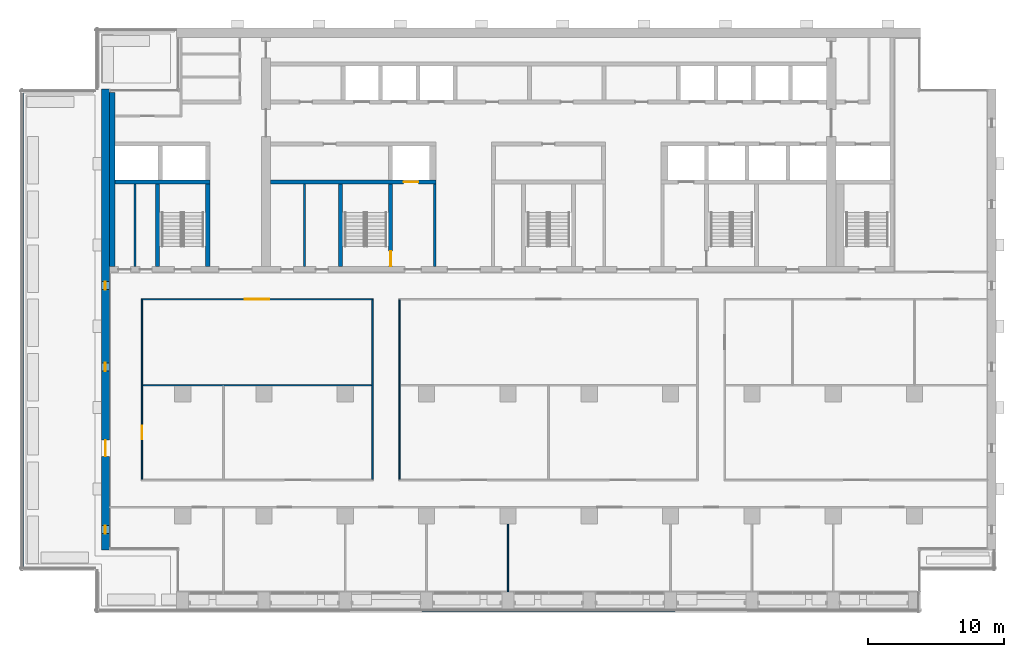
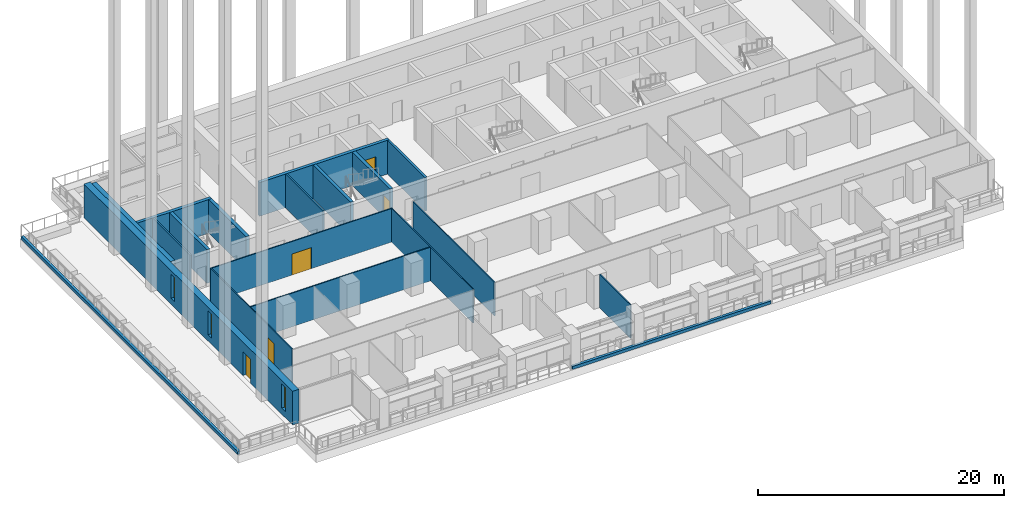
# One storey, part 8 of 19: 19 walls, 5 doors, 3 windows, 8 openings.
"""IFC4 building model written with IfcOpenShell, lengths in metres."""

from ifc_helpers import new_model, si_unit, direction, frame, frame_2d, origin, place, context, subcontext, project, spatial, rectangle, extrude, material, layer, layer_set, type_object, element, fill, save


model = new_model("IFC4")

# Units and contexts
model_context = context("Model", 3, precision=1e-05, world=origin(), true_north=direction((0.0, 1.0)))
body_context = subcontext(model_context, "Body", "Model", "MODEL_VIEW")
ifc_project = project(units=[si_unit("LENGTHUNIT", "METRE"), si_unit("AREAUNIT", "SQUARE_METRE"), si_unit("VOLUMEUNIT", "CUBIC_METRE"), si_unit("PLANEANGLEUNIT", "RADIAN"), si_unit("MASSUNIT", "GRAM", prefix="KILO")], contexts=[model_context])

# Site, building, storey
site_placement = place(None, origin())
site = spatial("IfcSite", under=ifc_project, at=site_placement, CompositionType="ELEMENT")
building_placement = place(site_placement, origin())
building = spatial("IfcBuilding", under=site, at=building_placement, Name="Calvaro Tower", CompositionType="ELEMENT")
storey_placement = place(building_placement, frame((0.0, 0.0, 166.75)))
storey = spatial("IfcBuildingStorey", under=building, at=storey_placement, Name="L41", CompositionType="ELEMENT", Elevation=166.75)

# Walls
ifc_material_1 = material(Name="Blockwork partition", Category="masonry")
ifc_layer_1 = layer(ifc_material_1, 0.14990234375)
ifc_layer_set_1 = layer_set([ifc_layer_1], Name="Blockwork partition")
wall_type_1 = type_object("IfcWallType", Name="Core partition 150 EI 60", PredefinedType="PARTITIONING", material=ifc_layer_set_1)
wall_1_placement = place(storey_placement, frame((21.0, 28.39990234375, 0.0), z_axis=(0.0, 0.0, 1.0), x_axis=(0.0, 1.0, 0.0)))
element("IfcWall", 1, at=wall_1_placement, inside=storey, type_object=wall_type_1, Name="Core partition", PredefinedType="PARTITIONING", context=body_context, shape_type="SweptSolid", body=[
    extrude(rectangle(XDim=6.10009765625, YDim=0.14990234375, at=frame_2d((3.050048828125, 0.0))), origin(), (0.0, 0.0, 1.0), 3.35009765625),
])
ifc_material_2 = material(Name="Blockwork partition", Category="masonry")
ifc_layer_2 = layer(ifc_material_2, 0.14990234375)
ifc_layer_set_2 = layer_set([ifc_layer_2], Name="Blockwork partition")
wall_type_2 = type_object("IfcWallType", Name="Core partition 150 REI 120", PredefinedType="PARTITIONING", material=ifc_layer_set_2)
wall_2_placement = place(storey_placement, frame((8.5, 28.39990234375, 0.0), z_axis=(0.0, 0.0, 1.0), x_axis=(0.0, 1.0, 0.0)))
element("IfcWall", 2, at=wall_2_placement, inside=storey, type_object=wall_type_2, Name="Core partition", PredefinedType="PARTITIONING", context=body_context, shape_type="SweptSolid", body=[
    extrude(rectangle(XDim=6.10009765625, YDim=0.14990234375, at=frame_2d((3.050048828125, 0.0))), origin(), (0.0, 0.0, 1.0), 3.35009765625),
])
ifc_material_3 = material(Name="Blockwork partition", Category="masonry")
ifc_layer_3 = layer(ifc_material_3, 0.199951171875)
ifc_layer_set_3 = layer_set([ifc_layer_3], Name="Blockwork partition")
wall_type_3 = type_object("IfcWallType", Name="Core partition 200 REI 120", PredefinedType="PARTITIONING", material=ifc_layer_set_3)
wall_3_placement = place(storey_placement, frame((30.60009765625, 28.39990234375, 0.0), z_axis=(0.0, 0.0, 1.0), x_axis=(0.0, 1.0, 0.0)))
element("IfcWall", 3, at=wall_3_placement, inside=storey, type_object=wall_type_3, Name="Core partition", PredefinedType="PARTITIONING", context=body_context, shape_type="SweptSolid", body=[
    extrude(rectangle(XDim=6.10009765625, YDim=0.199951171875, at=frame_2d((3.050048828125, 0.0))), origin(), (0.0, 0.0, 1.0), 3.35009765625),
])
ifc_material_4 = material(Name="Concrete C50/60", Category="concrete")
ifc_layer_4 = layer(ifc_material_4, 0.300048828125)
ifc_layer_set_4 = layer_set([ifc_layer_4], Name="Concrete C50/60")
wall_type_4 = type_object("IfcWallType", Name="Core wall C50/60 300", PredefinedType="SHEAR", material=ifc_layer_set_4)
for number, where, z_axis, x_axis, name in (
    (4, (10.14990234375, 28.39990234375, 0.0), (0.0, 0.0, 1.0), (0.0, 1.0, 0.0), "Core wall, stair enclosure"),
    (5, (13.85009765625, 28.39990234375, 0.0), (0.0, 0.0, 1.0), (0.0, 1.0, 0.0), "Core wall, stair enclosure"),
    (6, (23.64990234375, 28.39990234375, 0.0), (0.0, 0.0, 1.0), (0.0, 1.0, 0.0), "Core wall, stair enclosure"),
):
    element("IfcWall", number, at=place(storey_placement, frame(where, z_axis=z_axis, x_axis=x_axis)), inside=storey, type_object=wall_type_4, Name=name, PredefinedType="SHEAR", context=body_context, shape_type="SweptSolid", body=[
        extrude(rectangle(XDim=6.10009765625, YDim=0.300048828125, at=frame_2d((3.050048828125, 0.0))), origin(), (0.0, 0.0, 1.0), 3.35009765625),
    ])

# Wall, opening, door
wall_4_placement = place(storey_placement, frame((27.35009765625, 28.39990234375, 0.0), z_axis=(0.0, 0.0, 1.0), x_axis=(0.0, 1.0, 0.0)))
wall_4 = element("IfcWall", 7, at=wall_4_placement, inside=storey, type_object=wall_type_4, Name="Core wall, stair enclosure", PredefinedType="SHEAR", context=body_context, shape_type="SweptSolid", body=[
    extrude(rectangle(XDim=6.10009765625, YDim=0.300048828125, at=frame_2d((3.050048828125, 0.0))), origin(), (0.0, 0.0, 1.0), 3.35009765625),
])
opening_1_placement = place(wall_4_placement, frame((0.050048828125, 0.0, 0.0)))
opening_1 = element("IfcOpeningElement", 8, at=opening_1_placement, cuts=wall_4, Name="Opening FD11D", PredefinedType="OPENING", context=body_context, shape_type="SweptSolid", body=[
    extrude(rectangle(XDim=1.10009765625, YDim=2.10009765625, at=frame_2d((0.550048828125, 1.050048828125))), frame((0.0, 0.159912109375, 0.0), z_axis=(0.0, -1.0, 0.0), x_axis=(1.0, 0.0, 0.0)), (0.0, 0.0, 1.0), 0.320068359375),
])
ifc_material_5 = material(Name="Steel door set", Category="steel")
door_type_1 = type_object("IfcDoorType", Name="Fire door 1100 FD30S", OperationType="SINGLE_SWING_LEFT", PredefinedType="DOOR", material=ifc_material_5)
door_1_placement = place(opening_1_placement, origin())
door_1 = element("IfcDoor", 9, at=door_1_placement, inside=storey, type_object=door_type_1, Name="Fire door", OperationType="SINGLE_SWING_LEFT", OverallHeight=2.10009765625, OverallWidth=1.10009765625, PredefinedType="DOOR", context=body_context, shape_type="SweptSolid", body=[
    extrude(rectangle(XDim=1.10009765625, YDim=2.10009765625, at=frame_2d((0.550048828125, 1.050048828125))), frame((0.0, 0.02490234375, 0.0), z_axis=(0.0, -1.0, 0.0), x_axis=(1.0, 0.0, 0.0)), (0.0, 0.0, 1.0), 0.050048828125),
])
fill(opening_1, door_1)

# Wall
wall_5_placement = place(storey_placement, frame((7.0, 34.64990234375, 0.0), z_axis=(0.0, 0.0, 1.0), x_axis=(1.0, 0.0, 0.0)))
element("IfcWall", 10, at=wall_5_placement, inside=storey, type_object=wall_type_4, Name="Core wall, lift shaft", PredefinedType="SHEAR", context=body_context, shape_type="SweptSolid", body=[
    extrude(rectangle(XDim=7.0, YDim=0.300048828125, at=frame_2d((3.5, 0.0))), origin(), (0.0, 0.0, 1.0), 3.35009765625),
])

# Wall, opening, door
wall_6_placement = place(storey_placement, frame((18.5, 34.64990234375, 0.0), z_axis=(0.0, 0.0, 1.0), x_axis=(1.0, 0.0, 0.0)))
wall_6 = element("IfcWall", 11, at=wall_6_placement, inside=storey, type_object=wall_type_4, Name="Core wall, lift shaft", PredefinedType="SHEAR", context=body_context, shape_type="SweptSolid", body=[
    extrude(rectangle(XDim=12.199951171875, YDim=0.300048828125, at=frame_2d((6.10009765625, 0.0))), origin(), (0.0, 0.0, 1.0), 3.35009765625),
])
opening_2_placement = place(wall_6_placement, frame((9.800048828125, 0.0, 0.0)))
opening_2 = element("IfcOpeningElement", 12, at=opening_2_placement, cuts=wall_6, Name="Opening FF1", PredefinedType="OPENING", context=body_context, shape_type="SweptSolid", body=[
    extrude(rectangle(XDim=1.10009765625, YDim=2.10009765625, at=frame_2d((0.550048828125, 1.050048828125))), frame((0.0, 0.159912109375, 0.0), z_axis=(0.0, -1.0, 0.0), x_axis=(1.0, 0.0, 0.0)), (0.0, 0.0, 1.0), 0.320068359375),
])
ifc_material_6 = material(Name="Stainless steel", Category="steel")
door_type_2 = type_object("IfcDoorType", Name="Landing door 1100 E 60", OperationType="SLIDING_TO_LEFT", PredefinedType="DOOR", material=ifc_material_6)
door_2_placement = place(opening_2_placement, origin())
door_2 = element("IfcDoor", 13, at=door_2_placement, inside=storey, type_object=door_type_2, Name="Landing door FF1", OperationType="SLIDING_TO_LEFT", OverallHeight=2.10009765625, OverallWidth=1.10009765625, PredefinedType="DOOR", context=body_context, shape_type="SweptSolid", body=[
    extrude(rectangle(XDim=1.10009765625, YDim=2.10009765625, at=frame_2d((0.550048828125, 1.050048828125))), frame((0.0, 0.02490234375, 0.0), z_axis=(0.0, -1.0, 0.0), x_axis=(1.0, 0.0, 0.0)), (0.0, 0.0, 1.0), 0.050048828125),
])
fill(opening_2, door_2)

# Wall
ifc_material_7 = material(Name="Concrete C50/60", Category="concrete")
ifc_layer_5 = layer(ifc_material_7, 0.39990234375)
ifc_layer_set_5 = layer_set([ifc_layer_5], Name="Concrete C50/60")
wall_type_5 = type_object("IfcWallType", Name="Core wall C50/60 400", PredefinedType="SHEAR", material=ifc_layer_set_5)
wall_7_placement = place(storey_placement, frame((6.800048828125, 28.39990234375, 0.0), z_axis=(0.0, 0.0, 1.0), x_axis=(0.0, 1.0, 0.0)))
element("IfcWall", 14, at=wall_7_placement, inside=storey, type_object=wall_type_5, Name="Core wall, boundary", PredefinedType="SHEAR", context=body_context, shape_type="SweptSolid", body=[
    extrude(rectangle(XDim=12.85009765625, YDim=0.39990234375, at=frame_2d((6.425048828125, 0.0))), origin(), (0.0, 0.0, 1.0), 3.35009765625),
])

# Wall, openings, windows, door
ifc_material_8 = material(Name="Concrete C50/60", Category="concrete")
ifc_layer_6 = layer(ifc_material_8, 0.60009765625)
ifc_layer_set_6 = layer_set([ifc_layer_6], Name="Concrete C50/60")
wall_type_6 = type_object("IfcWallType", Name="End wall 600 C50/60", PredefinedType="SHEAR", material=ifc_layer_set_6)
wall_8_placement = place(storey_placement, frame((6.300048828125, 7.5, 0.0), z_axis=(0.0, 0.0, 1.0), x_axis=(0.0, 1.0, 0.0)))
wall_8 = element("IfcWall", 15, at=wall_8_placement, inside=storey, type_object=wall_type_6, Name="End shear wall", PredefinedType="SHEAR", context=body_context, shape_type="SweptSolid", body=[
    extrude(rectangle(XDim=34.0, YDim=0.60009765625, at=frame_2d((17.0, 0.0))), origin(), (0.0, 0.0, 1.0), 3.35009765625),
])
opening_3_placement = place(wall_8_placement, frame((1.199951171875, 0.0, 0.60009765625)))
opening_3 = element("IfcOpeningElement", 16, at=opening_3_placement, cuts=wall_8, Name="Opening WW01", PredefinedType="OPENING", context=body_context, shape_type="SweptSolid", body=[
    extrude(rectangle(XDim=0.60009765625, YDim=2.39990234375, at=frame_2d((0.300048828125, 1.199951171875))), frame((0.0, 0.31005859375, 0.0), z_axis=(0.0, -1.0, 0.0), x_axis=(1.0, 0.0, 0.0)), (0.0, 0.0, 1.0), 0.6201171875),
])
opening_4_placement = place(wall_8_placement, frame((13.199951171875, 0.0, 0.60009765625)))
opening_4 = element("IfcOpeningElement", 17, at=opening_4_placement, cuts=wall_8, Name="Opening WW03", PredefinedType="OPENING", context=body_context, shape_type="SweptSolid", body=[
    extrude(rectangle(XDim=0.60009765625, YDim=2.39990234375, at=frame_2d((0.300048828125, 1.199951171875))), frame((0.0, 0.31005859375, 0.0), z_axis=(0.0, -1.0, 0.0), x_axis=(1.0, 0.0, 0.0)), (0.0, 0.0, 1.0), 0.6201171875),
])
opening_5_placement = place(wall_8_placement, frame((19.199951171875, 0.0, 0.60009765625)))
opening_5 = element("IfcOpeningElement", 18, at=opening_5_placement, cuts=wall_8, Name="Opening WW04", PredefinedType="OPENING", context=body_context, shape_type="SweptSolid", body=[
    extrude(rectangle(XDim=0.60009765625, YDim=2.39990234375, at=frame_2d((0.300048828125, 1.199951171875))), frame((0.0, 0.31005859375, 0.0), z_axis=(0.0, -1.0, 0.0), x_axis=(1.0, 0.0, 0.0)), (0.0, 0.0, 1.0), 0.6201171875),
])
opening_6_placement = place(wall_8_placement, frame((6.89990234375, 0.0, 0.0)))
opening_6 = element("IfcOpeningElement", 19, at=opening_6_placement, cuts=wall_8, Name="Opening DT18", PredefinedType="OPENING", context=body_context, shape_type="SweptSolid", body=[
    extrude(rectangle(XDim=1.199951171875, YDim=2.39990234375, at=frame_2d((0.60009765625, 1.199951171875))), frame((0.0, 0.31005859375, 0.0), z_axis=(0.0, -1.0, 0.0), x_axis=(1.0, 0.0, 0.0)), (0.0, 0.0, 1.0), 0.6201171875),
])
ifc_material_9 = material(Name="Glass", Category="glass")
window_type = type_object("IfcWindowType", Name="Slit window 600 x 2400", PartitioningType="SINGLE_PANEL", PredefinedType="WINDOW", material=ifc_material_9)
window_1_placement = place(opening_3_placement, origin())
window_1 = element("IfcWindow", 20, at=window_1_placement, inside=storey, type_object=window_type, Name="Window WW01", OverallHeight=2.39990234375, OverallWidth=0.60009765625, PartitioningType="SINGLE_PANEL", PredefinedType="WINDOW", context=body_context, shape_type="SweptSolid", body=[
    extrude(rectangle(XDim=0.60009765625, YDim=2.39990234375, at=frame_2d((0.300048828125, 1.199951171875))), frame((0.0, 0.030029296875, 0.0), z_axis=(0.0, -1.0, 0.0), x_axis=(1.0, 0.0, 0.0)), (0.0, 0.0, 1.0), 0.06005859375),
])
fill(opening_3, window_1)
window_2_placement = place(opening_4_placement, origin())
window_2 = element("IfcWindow", 21, at=window_2_placement, inside=storey, type_object=window_type, Name="Window WW03", OverallHeight=2.39990234375, OverallWidth=0.60009765625, PartitioningType="SINGLE_PANEL", PredefinedType="WINDOW", context=body_context, shape_type="SweptSolid", body=[
    extrude(rectangle(XDim=0.60009765625, YDim=2.39990234375, at=frame_2d((0.300048828125, 1.199951171875))), frame((0.0, 0.030029296875, 0.0), z_axis=(0.0, -1.0, 0.0), x_axis=(1.0, 0.0, 0.0)), (0.0, 0.0, 1.0), 0.06005859375),
])
fill(opening_4, window_2)
window_3_placement = place(opening_5_placement, origin())
window_3 = element("IfcWindow", 22, at=window_3_placement, inside=storey, type_object=window_type, Name="Window WW04", OverallHeight=2.39990234375, OverallWidth=0.60009765625, PartitioningType="SINGLE_PANEL", PredefinedType="WINDOW", context=body_context, shape_type="SweptSolid", body=[
    extrude(rectangle(XDim=0.60009765625, YDim=2.39990234375, at=frame_2d((0.300048828125, 1.199951171875))), frame((0.0, 0.030029296875, 0.0), z_axis=(0.0, -1.0, 0.0), x_axis=(1.0, 0.0, 0.0)), (0.0, 0.0, 1.0), 0.06005859375),
])
fill(opening_5, window_3)
ifc_material_10 = material(Name="Glass", Category="glass")
door_type_3 = type_object("IfcDoorType", Name="Terrace door 1200 x 2400", OperationType="SINGLE_SWING_RIGHT", PredefinedType="DOOR", material=ifc_material_10)
door_3_placement = place(opening_6_placement, origin())
door_3 = element("IfcDoor", 23, at=door_3_placement, inside=storey, type_object=door_type_3, Name="Terrace door", OperationType="SINGLE_SWING_RIGHT", OverallHeight=2.39990234375, OverallWidth=1.199951171875, PredefinedType="DOOR", context=body_context, shape_type="SweptSolid", body=[
    extrude(rectangle(XDim=1.199951171875, YDim=2.39990234375, at=frame_2d((0.60009765625, 1.199951171875))), frame((0.0, 0.02490234375, 0.0), z_axis=(0.0, -1.0, 0.0), x_axis=(1.0, 0.0, 0.0)), (0.0, 0.0, 1.0), 0.050048828125),
])
fill(opening_6, door_3)

# Wall
ifc_material_11 = material(Name="Plasterboard on steel studs", Category="steel")
ifc_layer_7 = layer(ifc_material_11, 0.10009765625)
ifc_layer_set_7 = layer_set([ifc_layer_7], Name="Plasterboard on steel studs")
wall_type_7 = type_object("IfcWallType", Name="Partition 100", PredefinedType="PARTITIONING", material=ifc_layer_set_7)
wall_9_placement = place(storey_placement, frame((9.050048828125, 19.64990234375, 0.0), z_axis=(0.0, 0.0, 1.0), x_axis=(1.0, 0.0, 0.0)))
element("IfcWall", 24, at=wall_9_placement, inside=storey, type_object=wall_type_7, Name="Partition T42.W005", PredefinedType="PARTITIONING", context=body_context, shape_type="SweptSolid", body=[
    extrude(rectangle(XDim=16.89990234375, YDim=0.10009765625, at=frame_2d((8.449951171875, 0.0))), origin(), (0.0, 0.0, 1.0), 3.35009765625),
])

# Wall, opening, door
wall_10_placement = place(storey_placement, frame((8.949951171875, 26.0, 0.0), z_axis=(0.0, 0.0, 1.0), x_axis=(1.0, 0.0, 0.0)))
wall_10 = element("IfcWall", 25, at=wall_10_placement, inside=storey, type_object=wall_type_7, Name="Partition T42.W008", PredefinedType="PARTITIONING", context=body_context, shape_type="SweptSolid", body=[
    extrude(rectangle(XDim=17.10009765625, YDim=0.10009765625, at=frame_2d((8.550048828125, 0.0))), origin(), (0.0, 0.0, 1.0), 3.35009765625),
])
opening_7_placement = place(wall_10_placement, frame((7.64990234375, 0.0, 0.0)))
opening_7 = element("IfcOpeningElement", 26, at=opening_7_placement, cuts=wall_10, Name="Opening T42.014", PredefinedType="OPENING", context=body_context, shape_type="SweptSolid", body=[
    extrude(rectangle(XDim=1.800048828125, YDim=2.10009765625, at=frame_2d((0.89990234375, 1.050048828125))), frame((0.0, 0.06005859375, 0.0), z_axis=(0.0, -1.0, 0.0), x_axis=(1.0, 0.0, 0.0)), (0.0, 0.0, 1.0), 0.1201171875),
])
ifc_material_12 = material(Name="Timber", Category="wood")
door_type_4 = type_object("IfcDoorType", Name="Internal double door 1800 x 2100", OperationType="DOUBLE_DOOR_SINGLE_SWING", PredefinedType="DOOR", material=ifc_material_12)
door_4_placement = place(opening_7_placement, origin())
door_4 = element("IfcDoor", 27, at=door_4_placement, inside=storey, type_object=door_type_4, Name="Door T42.014", OperationType="DOUBLE_DOOR_SINGLE_SWING", OverallHeight=2.10009765625, OverallWidth=1.800048828125, PredefinedType="DOOR", context=body_context, shape_type="SweptSolid", body=[
    extrude(rectangle(XDim=1.800048828125, YDim=2.10009765625, at=frame_2d((0.89990234375, 1.050048828125))), frame((0.0, 0.02490234375, 0.0), z_axis=(0.0, -1.0, 0.0), x_axis=(1.0, 0.0, 0.0)), (0.0, 0.0, 1.0), 0.050048828125),
])
fill(opening_7, door_4)

wall_11_placement = place(storey_placement, frame((9.0, 12.699951171875, 0.0), z_axis=(0.0, 0.0, 1.0), x_axis=(0.0, 1.0, 0.0)))
wall_11 = element("IfcWall", 28, at=wall_11_placement, inside=storey, type_object=wall_type_7, Name="Partition T42.W012", PredefinedType="PARTITIONING", context=body_context, shape_type="SweptSolid", body=[
    extrude(rectangle(XDim=13.25, YDim=0.10009765625, at=frame_2d((6.625, 0.0))), origin(), (0.0, 0.0, 1.0), 3.35009765625),
])
opening_8_placement = place(wall_11_placement, frame((2.949951171875, 0.0, 0.0)))
opening_8 = element("IfcOpeningElement", 29, at=opening_8_placement, cuts=wall_11, Name="Opening T42.009", PredefinedType="OPENING", context=body_context, shape_type="SweptSolid", body=[
    extrude(rectangle(XDim=1.0, YDim=2.10009765625, at=frame_2d((0.5, 1.050048828125))), frame((0.0, 0.06005859375, 0.0), z_axis=(0.0, -1.0, 0.0), x_axis=(1.0, 0.0, 0.0)), (0.0, 0.0, 1.0), 0.1201171875),
])
ifc_material_13 = material(Name="Timber", Category="wood")
door_type_5 = type_object("IfcDoorType", Name="Internal single door 1000 x 2100", OperationType="SINGLE_SWING_LEFT", PredefinedType="DOOR", material=ifc_material_13)
door_5_placement = place(opening_8_placement, origin())
door_5 = element("IfcDoor", 30, at=door_5_placement, inside=storey, type_object=door_type_5, Name="Door T42.009", OperationType="SINGLE_SWING_LEFT", OverallHeight=2.10009765625, OverallWidth=1.0, PredefinedType="DOOR", context=body_context, shape_type="SweptSolid", body=[
    extrude(rectangle(XDim=1.0, YDim=2.10009765625, at=frame_2d((0.5, 1.050048828125))), frame((0.0, 0.02490234375, 0.0), z_axis=(0.0, -1.0, 0.0), x_axis=(1.0, 0.0, 0.0)), (0.0, 0.0, 1.0), 0.050048828125),
])
fill(opening_8, door_5)

# Walls
for number, where, z_axis, x_axis, name in (
    (31, (26.0, 12.699951171875, 0.0), (0.0, 0.0, 1.0), (0.0, 1.0, 0.0), "Partition T42.W016"),
    (32, (28.0, 12.699951171875, 0.0), (0.0, 0.0, 1.0), (0.0, 1.0, 0.0), "Partition T42.W017"),
):
    element("IfcWall", number, at=place(storey_placement, frame(where, z_axis=z_axis, x_axis=x_axis)), inside=storey, type_object=wall_type_7, Name=name, PredefinedType="PARTITIONING", context=body_context, shape_type="SweptSolid", body=[
        extrude(rectangle(XDim=13.25, YDim=0.10009765625, at=frame_2d((6.625, 0.0))), origin(), (0.0, 0.0, 1.0), 3.35009765625),
    ])
wall_12_placement = place(storey_placement, frame((36.0, 4.39990234375, 0.0), z_axis=(0.0, 0.0, 1.0), x_axis=(0.0, 1.0, 0.0)))
element("IfcWall", 33, at=wall_12_placement, inside=storey, type_object=wall_type_7, Name="Partition T42.W019", PredefinedType="PARTITIONING", context=body_context, shape_type="SweptSolid", body=[
    extrude(rectangle(XDim=5.0, YDim=0.10009765625, at=frame_2d((2.5, 0.0))), origin(), (0.0, 0.0, 1.0), 3.35009765625),
])
ifc_material_14 = material(Name="Concrete C40/50", Category="concrete")
ifc_layer_8 = layer(ifc_material_14, 0.199951171875, Name="Structure")
ifc_material_15 = material(Name="Reconstituted stone coping")
ifc_layer_9 = layer(ifc_material_15, 0.050048828125, Name="Finish")
ifc_layer_set_8 = layer_set([ifc_layer_8, ifc_layer_9], Name="Concrete C40/50")
wall_type_8 = type_object("IfcWallType", Name="Terrace edge kerb 250", PredefinedType="PARAPET", material=ifc_layer_set_8)
wall_13_placement = place(storey_placement, frame((0.14990234375, 6.125, 0.0), z_axis=(0.0, 0.0, 1.0), x_axis=(0.0, 1.0, 0.0)))
element("IfcWall", 34, at=wall_13_placement, inside=storey, type_object=wall_type_8, Name="Terrace edge kerb", PredefinedType="PARAPET", context=body_context, shape_type="SweptSolid", body=[
    extrude(rectangle(XDim=35.25, YDim=0.25, at=frame_2d((17.625, 0.0))), origin(), (0.0, 0.0, 1.0), 0.300048828125),
])
wall_14_placement = place(storey_placement, frame((29.675048828125, 3.050048828125, 0.0), z_axis=(0.0, 0.0, 1.0), x_axis=(1.0, 0.0, 0.0)))
element("IfcWall", 35, at=wall_14_placement, inside=storey, type_object=wall_type_8, Name="Terrace edge kerb", PredefinedType="PARAPET", context=body_context, shape_type="SweptSolid", body=[
    extrude(rectangle(XDim=18.64990234375, YDim=0.25, at=frame_2d((9.324951171875, 0.0))), origin(), (0.0, 0.0, 1.0), 0.300048828125),
])

save(model, "model.ifc")
